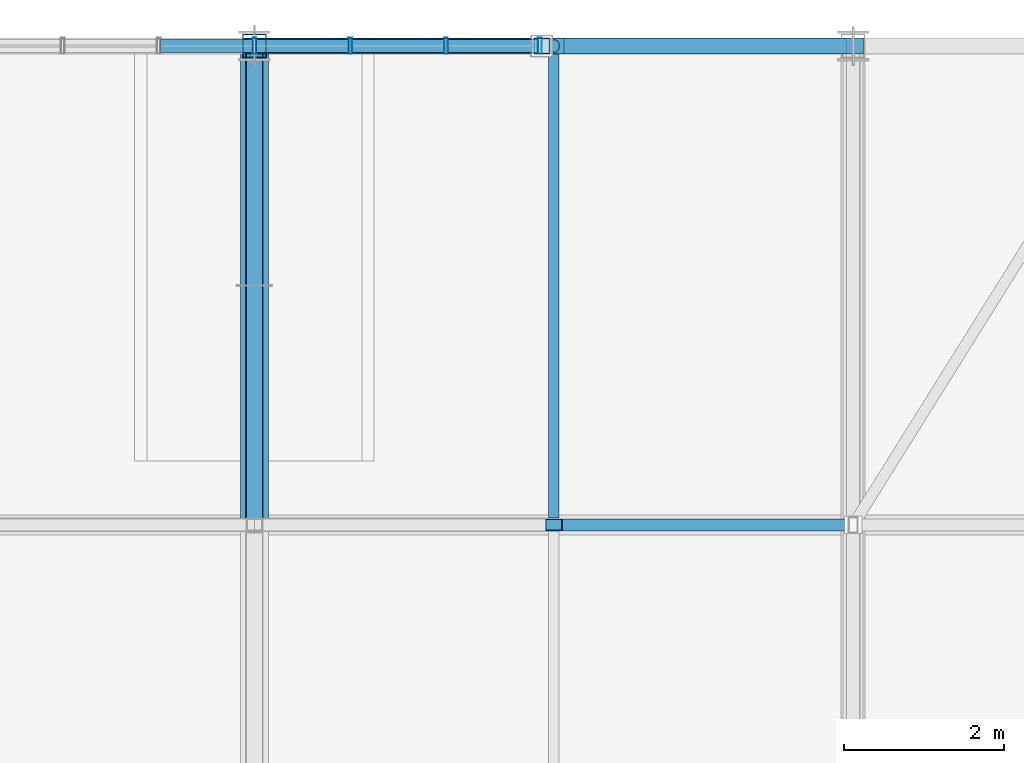
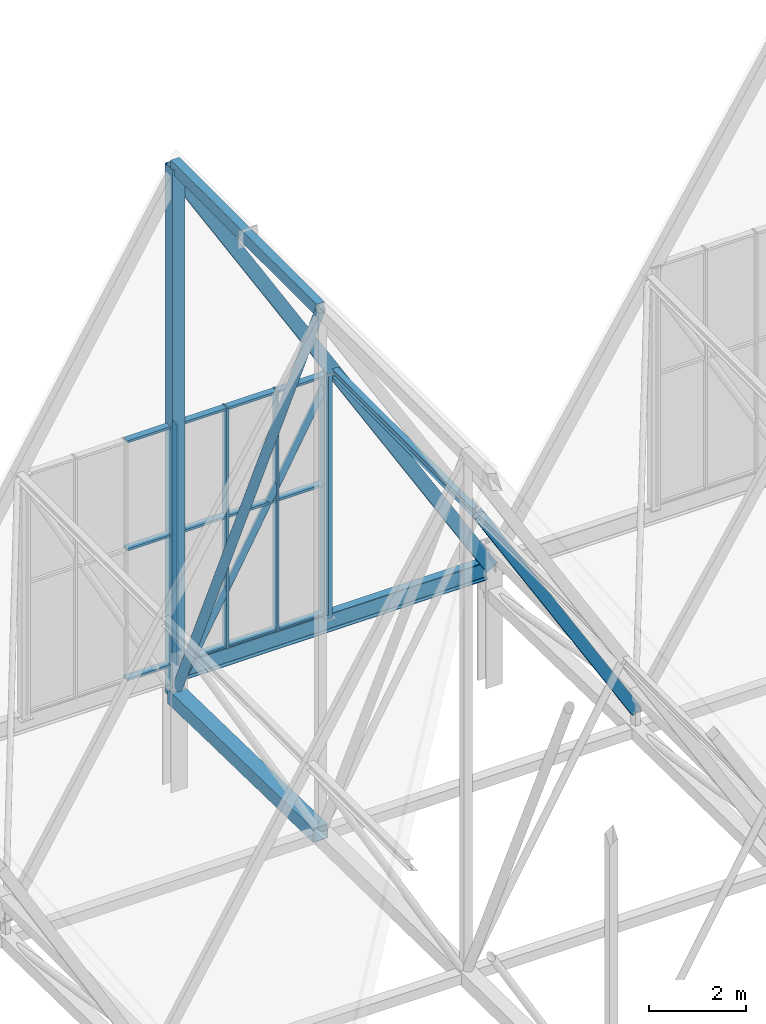
# One storey, part 167 of 324: 25 members, 2 beams, 1 element without a shape of its own.
"""IFC4 building model written with IfcOpenShell, lengths in metres."""

from ifc_helpers import new_model, si_unit, direction, frame, origin, origin_2d, place, context, subcontext, project, spatial, hollow_rectangle, hollow_circle, i_section, extrude, material, layer, layer_set, material_profile, profile_set, type_object, element, aggregate, save


model = new_model("IFC4")

# Units and contexts
model_context = context("Model", 3, precision=1e-05, world=origin(), true_north=direction((0.0, 1.0)))
body_context = subcontext(model_context, "Body", "Model", "MODEL_VIEW")
ifc_project = project(units=[si_unit("LENGTHUNIT", "METRE"), si_unit("AREAUNIT", "SQUARE_METRE"), si_unit("VOLUMEUNIT", "CUBIC_METRE"), si_unit("PLANEANGLEUNIT", "RADIAN"), si_unit("MASSUNIT", "GRAM", prefix="KILO")], contexts=[model_context])

# Site, building, storey
site_placement = place(None, origin())
site = spatial("IfcSite", under=ifc_project, at=site_placement, CompositionType="ELEMENT")
building_placement = place(site_placement, origin())
building = spatial("IfcBuilding", under=site, at=building_placement, Name="Solvenia Promenade Tram Depot", CompositionType="ELEMENT")
storey_placement = place(building_placement, frame((0.0, 0.0, 4.5)))
storey = spatial("IfcBuildingStorey", under=building, at=storey_placement, Name="L01", CompositionType="ELEMENT", Elevation=4.5)

# Member
ifc_material_1 = material(Name="Structural steel ASTM A500 Gr. C", Category="steel")
ifc_material_profile_1 = material_profile(ifc_material_1, hollow_circle(Radius=0.109619140625, WallThickness=0.008056640625, at=origin_2d()), Name="CHS219.1x8", Category="steel")
ifc_profile_set_1 = profile_set([ifc_material_profile_1], Name="Structural steel ASTM A500 Gr. C")
member_type_1 = type_object("IfcMemberType", Name="Brace-CHS219x8", PredefinedType="BRACE", material=ifc_profile_set_1)
member_1_placement = place(storey_placement, frame((112.5, 126.0, 2.320068359375), z_axis=(0.0, -0.410529284431, 0.911847414113), x_axis=(1.0, 0.0, 0.0)))
element("IfcMember", 1, at=member_1_placement, inside=storey, type_object=member_type_1, Name="Arched Truss T16 Web Diagonal S10", PredefinedType="BRACE", context=body_context, shape_type="SweptSolid", body=[
    extrude(hollow_circle(Radius=0.109619140625, WallThickness=0.008056640625, at=origin_2d()), origin(), (0.0, 0.0, 1.0), 14.615234375),
])

# Curtain wall, members
ifc_material_2 = material(Name="Anodized aluminium AW-6063 T6", Category="aluminium")
ifc_layer = layer(ifc_material_2, 0.14990234375, Name="Anodized aluminium AW-6063 T6", Category="aluminium")
ifc_layer_set = layer_set([ifc_layer], Name="Anodized aluminium AW-6063 T6")
curtain_wall_type = type_object("IfcCurtainWallType", Name="CW-Gable-1200", PredefinedType="NOTDEFINED", material=ifc_layer_set)
curtain_wall_placement = place(storey_placement, origin())
curtain_wall = element("IfcCurtainWall", 2, at=curtain_wall_placement, inside=storey, type_object=curtain_wall_type, Name="North Zigzag Gable 08 Peak Glazing", PredefinedType="NOTDEFINED")
ifc_material_profile_2 = material_profile(ifc_material_2, hollow_rectangle(XDim=0.199951171875, YDim=0.048095703125, WallThickness=0.00390625, at=origin_2d()), Name="ALU-M3", Category="aluminium")
ifc_profile_set_2 = profile_set([ifc_material_profile_2], Name="Anodized aluminium AW-6063 T6")
member_type_2 = type_object("IfcMemberType", Name="CWM-Mullion-3", PredefinedType="MULLION", material=ifc_profile_set_2)
member_2_placement = place(storey_placement, frame((112.5, 126.0, 3.10009765625), z_axis=(0.0, 0.0, 1.0), x_axis=(0.0, 1.0, 0.0)))
member_2 = element("IfcMember", 3, at=member_2_placement, type_object=member_type_2, Name="CW-3 mullion 4", PredefinedType="MULLION", context=body_context, shape_type="SweptSolid", body=[
    extrude(hollow_rectangle(XDim=0.199951171875, YDim=0.048095703125, WallThickness=0.00390625, at=origin_2d()), origin(), (0.0, 0.0, 1.0), 6.0498046875),
])
member_3_placement = place(storey_placement, frame((113.699951171875, 126.0, 3.10009765625), z_axis=(0.0, 0.0, 1.0), x_axis=(0.0, 1.0, 0.0)))
member_3 = element("IfcMember", 4, at=member_3_placement, type_object=member_type_2, Name="CW-3 mullion 5", PredefinedType="MULLION", context=body_context, shape_type="SweptSolid", body=[
    extrude(hollow_rectangle(XDim=0.199951171875, YDim=0.048095703125, WallThickness=0.00390625, at=origin_2d()), origin(), (0.0, 0.0, 1.0), 6.0498046875),
])
member_4_placement = place(storey_placement, frame((114.89990234375, 126.0, 3.10009765625), z_axis=(0.0, 0.0, 1.0), x_axis=(0.0, 1.0, 0.0)))
member_4 = element("IfcMember", 5, at=member_4_placement, type_object=member_type_2, Name="CW-3 mullion 6", PredefinedType="MULLION", context=body_context, shape_type="SweptSolid", body=[
    extrude(hollow_rectangle(XDim=0.199951171875, YDim=0.048095703125, WallThickness=0.00390625, at=origin_2d()), origin(), (0.0, 0.0, 1.0), 6.0498046875),
])
member_5_placement = place(storey_placement, frame((116.075927734375, 126.0, 3.10009765625), z_axis=(0.0, 0.0, 1.0), x_axis=(0.0, 1.0, 0.0)))
member_5 = element("IfcMember", 6, at=member_5_placement, type_object=member_type_2, Name="CW-3 mullion 7", PredefinedType="MULLION", context=body_context, shape_type="SweptSolid", body=[
    extrude(hollow_rectangle(XDim=0.199951171875, YDim=0.048095703125, WallThickness=0.00390625, at=origin_2d()), origin(), (0.0, 0.0, 1.0), 6.0498046875),
])
ifc_material_profile_3 = material_profile(ifc_material_2, hollow_rectangle(XDim=0.159912109375, YDim=0.05810546875, WallThickness=0.00390625, at=origin_2d()), Name="ALU-T3", Category="aluminium")
ifc_profile_set_3 = profile_set([ifc_material_profile_3], Name="Anodized aluminium AW-6063 T6")
member_type_3 = type_object("IfcMemberType", Name="CWT-Transom-3", PredefinedType="USERDEFINED", material=ifc_profile_set_3)
member_6_placement = place(storey_placement, frame((111.323974609375, 126.0, 3.12890625), z_axis=(1.0, 0.0, 0.0), x_axis=(0.0, 1.0, 0.0)))
member_6 = element("IfcMember", 7, at=member_6_placement, type_object=member_type_3, Name="CW-3 transom 3.1", ObjectType="TRANSOM", PredefinedType="USERDEFINED", context=body_context, shape_type="SweptSolid", body=[
    extrude(hollow_rectangle(XDim=0.159912109375, YDim=0.05810546875, WallThickness=0.00390625, at=origin_2d()), origin(), (0.0, 0.0, 1.0), 1.152099609375),
])
member_7_placement = place(storey_placement, frame((111.323974609375, 126.0, 6.39990234375), z_axis=(1.0, 0.0, 0.0), x_axis=(0.0, 1.0, 0.0)))
member_7 = element("IfcMember", 8, at=member_7_placement, type_object=member_type_3, Name="CW-3 transom 3.2", ObjectType="TRANSOM", PredefinedType="USERDEFINED", context=body_context, shape_type="SweptSolid", body=[
    extrude(hollow_rectangle(XDim=0.159912109375, YDim=0.05810546875, WallThickness=0.00390625, at=origin_2d()), origin(), (0.0, 0.0, 1.0), 1.152099609375),
])
member_8_placement = place(storey_placement, frame((111.323974609375, 126.0, 9.12109375), z_axis=(1.0, 0.0, 0.0), x_axis=(0.0, 1.0, 0.0)))
member_8 = element("IfcMember", 9, at=member_8_placement, type_object=member_type_3, Name="CW-3 transom 3.3", ObjectType="TRANSOM", PredefinedType="USERDEFINED", context=body_context, shape_type="SweptSolid", body=[
    extrude(hollow_rectangle(XDim=0.159912109375, YDim=0.05810546875, WallThickness=0.00390625, at=origin_2d()), origin(), (0.0, 0.0, 1.0), 1.152099609375),
])
member_9_placement = place(storey_placement, frame((112.52392578125, 126.0, 3.12890625), z_axis=(1.0, 0.0, 0.0), x_axis=(0.0, 1.0, 0.0)))
member_9 = element("IfcMember", 10, at=member_9_placement, type_object=member_type_3, Name="CW-3 transom 4.1", ObjectType="TRANSOM", PredefinedType="USERDEFINED", context=body_context, shape_type="SweptSolid", body=[
    extrude(hollow_rectangle(XDim=0.159912109375, YDim=0.05810546875, WallThickness=0.00390625, at=origin_2d()), origin(), (0.0, 0.0, 1.0), 1.152099609375),
])
member_10_placement = place(storey_placement, frame((112.52392578125, 126.0, 6.39990234375), z_axis=(1.0, 0.0, 0.0), x_axis=(0.0, 1.0, 0.0)))
member_10 = element("IfcMember", 11, at=member_10_placement, type_object=member_type_3, Name="CW-3 transom 4.2", ObjectType="TRANSOM", PredefinedType="USERDEFINED", context=body_context, shape_type="SweptSolid", body=[
    extrude(hollow_rectangle(XDim=0.159912109375, YDim=0.05810546875, WallThickness=0.00390625, at=origin_2d()), origin(), (0.0, 0.0, 1.0), 1.152099609375),
])
member_11_placement = place(storey_placement, frame((112.52392578125, 126.0, 9.12109375), z_axis=(1.0, 0.0, 0.0), x_axis=(0.0, 1.0, 0.0)))
member_11 = element("IfcMember", 12, at=member_11_placement, type_object=member_type_3, Name="CW-3 transom 4.3", ObjectType="TRANSOM", PredefinedType="USERDEFINED", context=body_context, shape_type="SweptSolid", body=[
    extrude(hollow_rectangle(XDim=0.159912109375, YDim=0.05810546875, WallThickness=0.00390625, at=origin_2d()), origin(), (0.0, 0.0, 1.0), 1.152099609375),
])
member_12_placement = place(storey_placement, frame((113.72412109375, 126.0, 3.12890625), z_axis=(1.0, 0.0, 0.0), x_axis=(0.0, 1.0, 0.0)))
member_12 = element("IfcMember", 13, at=member_12_placement, type_object=member_type_3, Name="CW-3 transom 5.1", ObjectType="TRANSOM", PredefinedType="USERDEFINED", context=body_context, shape_type="SweptSolid", body=[
    extrude(hollow_rectangle(XDim=0.159912109375, YDim=0.05810546875, WallThickness=0.00390625, at=origin_2d()), origin(), (0.0, 0.0, 1.0), 1.15185546875),
])
member_13_placement = place(storey_placement, frame((113.72412109375, 126.0, 6.39990234375), z_axis=(1.0, 0.0, 0.0), x_axis=(0.0, 1.0, 0.0)))
member_13 = element("IfcMember", 14, at=member_13_placement, type_object=member_type_3, Name="CW-3 transom 5.2", ObjectType="TRANSOM", PredefinedType="USERDEFINED", context=body_context, shape_type="SweptSolid", body=[
    extrude(hollow_rectangle(XDim=0.159912109375, YDim=0.05810546875, WallThickness=0.00390625, at=origin_2d()), origin(), (0.0, 0.0, 1.0), 1.15185546875),
])
member_14_placement = place(storey_placement, frame((113.72412109375, 126.0, 9.12109375), z_axis=(1.0, 0.0, 0.0), x_axis=(0.0, 1.0, 0.0)))
member_14 = element("IfcMember", 15, at=member_14_placement, type_object=member_type_3, Name="CW-3 transom 5.3", ObjectType="TRANSOM", PredefinedType="USERDEFINED", context=body_context, shape_type="SweptSolid", body=[
    extrude(hollow_rectangle(XDim=0.159912109375, YDim=0.05810546875, WallThickness=0.00390625, at=origin_2d()), origin(), (0.0, 0.0, 1.0), 1.15185546875),
])
member_15_placement = place(storey_placement, frame((114.924072265625, 126.0, 3.12890625), z_axis=(1.0, 0.0, 0.0), x_axis=(0.0, 1.0, 0.0)))
member_15 = element("IfcMember", 16, at=member_15_placement, type_object=member_type_3, Name="CW-3 transom 6.1", ObjectType="TRANSOM", PredefinedType="USERDEFINED", context=body_context, shape_type="SweptSolid", body=[
    extrude(hollow_rectangle(XDim=0.159912109375, YDim=0.05810546875, WallThickness=0.00390625, at=origin_2d()), origin(), (0.0, 0.0, 1.0), 1.1279296875),
])
member_16_placement = place(storey_placement, frame((114.924072265625, 126.0, 6.39990234375), z_axis=(1.0, 0.0, 0.0), x_axis=(0.0, 1.0, 0.0)))
member_16 = element("IfcMember", 17, at=member_16_placement, type_object=member_type_3, Name="CW-3 transom 6.2", ObjectType="TRANSOM", PredefinedType="USERDEFINED", context=body_context, shape_type="SweptSolid", body=[
    extrude(hollow_rectangle(XDim=0.159912109375, YDim=0.05810546875, WallThickness=0.00390625, at=origin_2d()), origin(), (0.0, 0.0, 1.0), 1.1279296875),
])
member_17_placement = place(storey_placement, frame((114.924072265625, 126.0, 9.12109375), z_axis=(1.0, 0.0, 0.0), x_axis=(0.0, 1.0, 0.0)))
member_17 = element("IfcMember", 18, at=member_17_placement, type_object=member_type_3, Name="CW-3 transom 6.3", ObjectType="TRANSOM", PredefinedType="USERDEFINED", context=body_context, shape_type="SweptSolid", body=[
    extrude(hollow_rectangle(XDim=0.159912109375, YDim=0.05810546875, WallThickness=0.00390625, at=origin_2d()), origin(), (0.0, 0.0, 1.0), 1.1279296875),
])
aggregate(curtain_wall, [member_2, member_3, member_4, member_5, member_6, member_7, member_8, member_9, member_10, member_11, member_12, member_13, member_14, member_15, member_16, member_17])

# Members
ifc_material_profile_4 = material_profile(ifc_material_1, hollow_rectangle(XDim=0.14990234375, YDim=0.25, WallThickness=0.010009765625, at=origin_2d()), Name="HSS250x150x10", Category="steel")
ifc_profile_set_4 = profile_set([ifc_material_profile_4], Name="Structural steel ASTM A500 Gr. C")
member_type_4 = type_object("IfcMemberType", Name="Chord-HSS250x150x10", PredefinedType="CHORD", material=ifc_profile_set_4)
member_18_placement = place(storey_placement, frame((116.25, 120.0, 9.1787109375), z_axis=(0.514584433357, 0.0, -0.857439712718), x_axis=(0.0, 1.0, 0.0)))
element("IfcMember", 19, at=member_18_placement, inside=storey, type_object=member_type_4, Name="Zigzag Gable 08 East Lower Rafter", PredefinedType="CHORD", context=body_context, shape_type="SweptSolid", body=[
    extrude(hollow_rectangle(XDim=0.14990234375, YDim=0.25, WallThickness=0.010009765625, at=origin_2d()), origin(), (0.0, 0.0, 1.0), 7.287353515625),
])
ifc_material_profile_5 = material_profile(ifc_material_1, hollow_rectangle(XDim=0.199951171875, YDim=0.300048828125, WallThickness=0.012451171875, at=origin_2d()), Name="HSS300x200x12.5", Category="steel")
ifc_profile_set_5 = profile_set([ifc_material_profile_5], Name="Structural steel ASTM A500 Gr. C")
member_type_5 = type_object("IfcMemberType", Name="Chord-HSS300x200x12", PredefinedType="CHORD", material=ifc_profile_set_5)
member_19_placement = place(storey_placement, frame((112.5, 120.0, 15.64697265625), z_axis=(0.0, 1.0, 0.0), x_axis=(-1.0, 0.0, 0.0)))
element("IfcMember", 20, at=member_19_placement, inside=storey, type_object=member_type_5, Name="Arched Truss T16 Upper Chord S10", PredefinedType="CHORD", context=body_context, shape_type="SweptSolid", body=[
    extrude(hollow_rectangle(XDim=0.199951171875, YDim=0.300048828125, WallThickness=0.012451171875, at=origin_2d()), origin(), (0.0, 0.0, 1.0), 6.0),
])
for number, where, z_axis, x_axis, name in (
    (21, (112.5, 126.0, 15.42724609375), (0.514584433357, 0.0, -0.857439712718), (0.0, 1.0, 0.0), "Zigzag Gable 08 East Upper Rafter"),
    (22, (116.25, 126.0, 9.1787109375), (0.514584433357, 0.0, -0.857439712718), (0.0, 1.0, 0.0), "Zigzag Gable 08 East Lower Rafter"),
):
    element("IfcMember", number, at=place(storey_placement, frame(where, z_axis=z_axis, x_axis=x_axis)), inside=storey, type_object=member_type_5, Name=name, PredefinedType="CHORD", context=body_context, shape_type="SweptSolid", body=[
        extrude(hollow_rectangle(XDim=0.199951171875, YDim=0.300048828125, WallThickness=0.012451171875, at=origin_2d()), origin(), (0.0, 0.0, 1.0), 7.287353515625),
    ])
ifc_material_profile_6 = material_profile(ifc_material_1, hollow_rectangle(XDim=0.300048828125, YDim=0.300048828125, WallThickness=0.012451171875, at=origin_2d()), Name="HSS300x300x12.5", Category="steel")
ifc_profile_set_6 = profile_set([ifc_material_profile_6], Name="Structural steel ASTM A500 Gr. C")
member_type_6 = type_object("IfcMemberType", Name="Chord-HSS300x300x12", PredefinedType="CHORD", material=ifc_profile_set_6)
member_20_placement = place(storey_placement, frame((112.5, 126.0, 2.320068359375), z_axis=(0.0, 0.0, 1.0), x_axis=(1.0, 0.0, 0.0)))
element("IfcMember", 23, at=member_20_placement, inside=storey, type_object=member_type_6, Name="Arched Truss T16 N End Post", PredefinedType="CHORD", context=body_context, shape_type="SweptSolid", body=[
    extrude(hollow_rectangle(XDim=0.300048828125, YDim=0.300048828125, WallThickness=0.012451171875, at=origin_2d()), origin(), (0.0, 0.0, 1.0), 13.326904296875),
])
ifc_material_profile_7 = material_profile(ifc_material_1, hollow_rectangle(XDim=0.35009765625, YDim=0.35009765625, WallThickness=0.01611328125, at=origin_2d()), Name="HSS350x350x16", Category="steel")
ifc_profile_set_7 = profile_set([ifc_material_profile_7], Name="Structural steel ASTM A500 Gr. C")
member_type_7 = type_object("IfcMemberType", Name="Chord-HSS350x350x16", PredefinedType="CHORD", material=ifc_profile_set_7)
member_21_placement = place(storey_placement, frame((112.5, 120.0, 2.446044921875), z_axis=(0.0, 0.999779654873, -0.020991467363), x_axis=(-1.0, 0.0, 0.0)))
element("IfcMember", 24, at=member_21_placement, inside=storey, type_object=member_type_7, Name="Arched Truss T16 Bottom Chord S10", PredefinedType="CHORD", context=body_context, shape_type="SweptSolid", body=[
    extrude(hollow_rectangle(XDim=0.35009765625, YDim=0.35009765625, WallThickness=0.01611328125, at=origin_2d()), origin(), (0.0, 0.0, 1.0), 6.001220703125),
])
ifc_material_profile_8 = material_profile(ifc_material_1, hollow_rectangle(XDim=0.199951171875, YDim=0.199951171875, WallThickness=0.010009765625, at=origin_2d()), Name="HSS200x200x10", Category="steel")
ifc_profile_set_8 = profile_set([ifc_material_profile_8], Name="Structural steel ASTM A500 Gr. C")
member_type_8 = type_object("IfcMemberType", Name="Post-HSS200x200x10", PredefinedType="POST", material=ifc_profile_set_8)
member_22_placement = place(storey_placement, frame((116.10009765625, 126.0, 3.0), z_axis=(0.0, 0.0, 1.0), x_axis=(1.0, 0.0, 0.0)))
element("IfcMember", 25, at=member_22_placement, inside=storey, type_object=member_type_8, Name="Gable Curtain-Wall Steel Jamb Post 030", PredefinedType="POST", context=body_context, shape_type="SweptSolid", body=[
    extrude(hollow_rectangle(XDim=0.199951171875, YDim=0.199951171875, WallThickness=0.010009765625, at=origin_2d()), origin(), (0.0, 0.0, 1.0), 6.14990234375),
])

# Beams
ifc_material_3 = material(Name="Structural steel ASTM A992 Gr. 50", Category="steel")
ifc_material_profile_9 = material_profile(ifc_material_3, i_section(OverallWidth=0.133056640625, OverallDepth=0.20703125, WebThickness=0.005859375, FlangeThickness=0.00830078125, FilletRadius=0.009033203125, at=origin_2d()), Name="W200x27", Category="steel")
ifc_profile_set_9 = profile_set([ifc_material_profile_9], Name="Structural steel ASTM A992 Gr. 50")
beam_type_1 = type_object("IfcBeamType", Name="Purlin-W200x27", PredefinedType="USERDEFINED", material=ifc_profile_set_9)
beam_1_placement = place(storey_placement, frame((116.25, 120.0849609375, 9.169677734375), z_axis=(0.0, 1.0, 0.0), x_axis=(-1.0, 0.0, 0.0)))
element("IfcBeam", 26, at=beam_1_placement, inside=storey, type_object=beam_type_1, Name="Gable Roof Purlin E-0160", ObjectType="PURLIN", PredefinedType="USERDEFINED", context=body_context, shape_type="SweptSolid", body=[
    extrude(i_section(OverallWidth=0.133056640625, OverallDepth=0.20703125, WebThickness=0.005859375, FlangeThickness=0.00830078125, FilletRadius=0.009033203125, at=origin_2d()), origin(), (0.0, 0.0, 1.0), 5.830078125),
])
ifc_material_profile_10 = material_profile(ifc_material_3, i_section(OverallWidth=0.19091796875, OverallDepth=0.4599609375, WebThickness=0.010009765625, FlangeThickness=0.01611328125, FilletRadius=0.012939453125, at=origin_2d()), Name="W460x82", Category="steel")
ifc_profile_set_10 = profile_set([ifc_material_profile_10], Name="Structural steel ASTM A992 Gr. 50")
beam_type_2 = type_object("IfcBeamType", Name="Spandrel-W460x82", PredefinedType="SPANDREL", material=ifc_profile_set_10)
beam_2_placement = place(storey_placement, frame((112.5849609375, 126.0, 2.889892578125), z_axis=(1.0, 0.0, 0.0), x_axis=(0.0, 1.0, 0.0)))
element("IfcBeam", 27, at=beam_2_placement, inside=storey, type_object=beam_type_2, Name="North Shed Eave Girder BM-L01-0983", PredefinedType="SPANDREL", context=body_context, shape_type="SweptSolid", body=[
    extrude(i_section(OverallWidth=0.19091796875, OverallDepth=0.4599609375, WebThickness=0.010009765625, FlangeThickness=0.01611328125, FilletRadius=0.012939453125, at=origin_2d()), origin(), (0.0, 0.0, 1.0), 7.330078125),
])

# Member
ifc_material_profile_11 = material_profile(ifc_material_1, hollow_circle(Radius=0.084228515625, WallThickness=0.008056640625, at=origin_2d()), Name="CHS168.3x8", Category="steel")
ifc_profile_set_11 = profile_set([ifc_material_profile_11], Name="Structural steel ASTM A500 Gr. C")
member_type_9 = type_object("IfcMemberType", Name="WebDiag-CHS168x8", PredefinedType="BRACE", material=ifc_profile_set_11)
member_23_placement = place(storey_placement, frame((112.5, 126.0, 2.320068359375), z_axis=(0.479731573224, 0.0, 0.877415305116), x_axis=(0.0, 1.0, 0.0)))
element("IfcMember", 28, at=member_23_placement, inside=storey, type_object=member_type_9, Name="Zigzag Gable 08 East Knee Strut", PredefinedType="BRACE", context=body_context, shape_type="SweptSolid", body=[
    extrude(hollow_circle(Radius=0.084228515625, WallThickness=0.008056640625, at=origin_2d()), origin(), (0.0, 0.0, 1.0), 7.81689453125),
])

save(model, "model.ifc")
